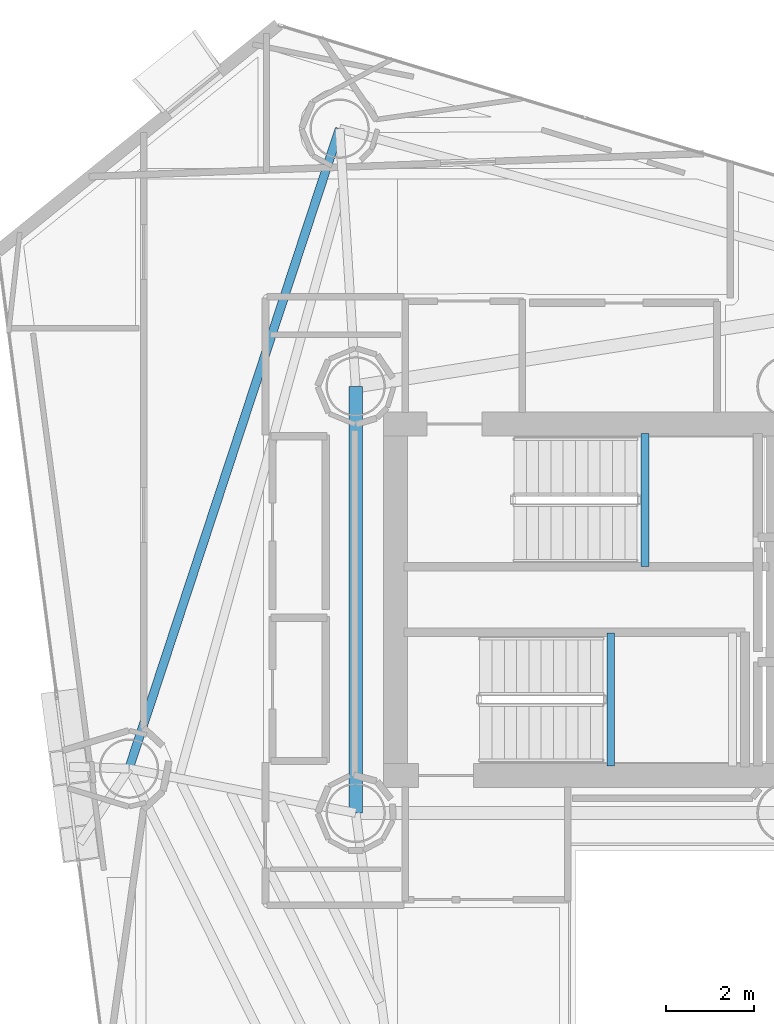
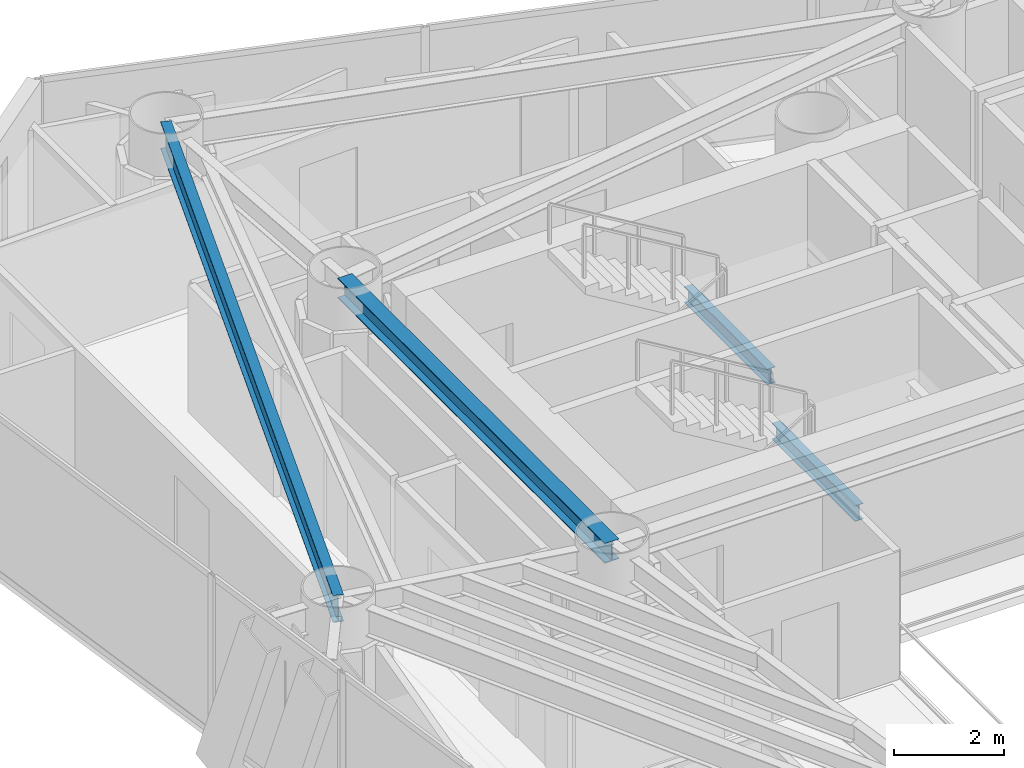
# One storey, part 10 of 22: 4 beams.
"""IFC4 building model written with IfcOpenShell, lengths in metres."""

from ifc_helpers import new_model, si_unit, direction, frame, origin, origin_2d, place, context, subcontext, project, spatial, i_section, extrude, material, material_profile, profile_set, type_object, element, save


model = new_model("IFC4")

# Units and contexts
model_context = context("Model", 3, precision=1e-05, world=origin(), true_north=direction((0.0, 1.0)))
body_context = subcontext(model_context, "Body", "Model", "MODEL_VIEW")
ifc_project = project(units=[si_unit("LENGTHUNIT", "METRE"), si_unit("AREAUNIT", "SQUARE_METRE"), si_unit("VOLUMEUNIT", "CUBIC_METRE"), si_unit("PLANEANGLEUNIT", "RADIAN"), si_unit("MASSUNIT", "GRAM", prefix="KILO")], contexts=[model_context])

# Site, building, storey
site_placement = place(None, origin())
site = spatial("IfcSite", under=ifc_project, at=site_placement, CompositionType="ELEMENT")
building_placement = place(site_placement, origin())
building = spatial("IfcBuilding", under=site, at=building_placement, Name="Qianvela Tower", CompositionType="ELEMENT")
storey_placement = place(building_placement, frame((0.0, 0.0, 177.199951171875)))
storey = spatial("IfcBuildingStorey", under=building, at=storey_placement, Name="L45", CompositionType="ELEMENT", Elevation=177.199951171875)

# Beams
ifc_material_1 = material(Name="Steel Q355B", Category="steel")
ifc_material_profile_1 = material_profile(ifc_material_1, i_section(OverallWidth=0.300048828125, OverallDepth=0.43994140625, WebThickness=0.010986328125, FlangeThickness=0.01806640625, at=origin_2d()), Name="HM440x300x11x18")
ifc_profile_set_1 = profile_set([ifc_material_profile_1], Name="Steel Q355B")
beam_type_1 = type_object("IfcBeamType", Name="BM-HM440-COLL", PredefinedType="BEAM", material=ifc_profile_set_1)
beam_1_placement = place(storey_placement, frame((28.60009765625, 33.550048828125, 3.298095703125), z_axis=(0.0, -1.0, 0.0), x_axis=(1.0, 0.0, 0.0)))
element("IfcBeam", 1, at=beam_1_placement, inside=storey, type_object=beam_type_1, Name="L45 Core Ring Collector Girder CC2", PredefinedType="BEAM", context=body_context, shape_type="SweptSolid", body=[
    extrude(i_section(OverallWidth=0.300048828125, OverallDepth=0.43994140625, WebThickness=0.010986328125, FlangeThickness=0.01806640625, at=origin_2d()), origin(), (0.0, 0.0, 1.0), 9.699951171875),
])
ifc_material_2 = material(Name="Steel Q355B", Category="steel")
ifc_material_profile_2 = material_profile(ifc_material_2, i_section(OverallWidth=0.175048828125, OverallDepth=0.35009765625, WebThickness=0.007080078125, FlangeThickness=0.010986328125, at=origin_2d()), Name="HN350x175x7x11")
ifc_profile_set_2 = profile_set([ifc_material_profile_2], Name="Steel Q355B")
beam_type_2 = type_object("IfcBeamType", Name="BM-HN350-JOIST", PredefinedType="JOIST", material=ifc_profile_set_2)
for number, where, z_axis, x_axis, name in (
    (2, (35.179931640625, 29.4599609375, 1.47509765625), (0.0, 1.0, 0.0), (-1.0, 0.0, 0.0), "L45 Stair ST-1 Landing Support Beam 1.1"),
    (3, (34.39990234375, 24.919921875, 1.47509765625), (0.0, 1.0, 0.0), (-1.0, 0.0, 0.0), "L45 Stair ST-2 Landing Support Beam 1.1"),
):
    element("IfcBeam", number, at=place(storey_placement, frame(where, z_axis=z_axis, x_axis=x_axis)), inside=storey, type_object=beam_type_2, Name=name, PredefinedType="JOIST", context=body_context, shape_type="SweptSolid", body=[
        extrude(i_section(OverallWidth=0.175048828125, OverallDepth=0.35009765625, WebThickness=0.007080078125, FlangeThickness=0.010986328125, at=origin_2d()), origin(), (0.0, 0.0, 1.0), 3.02001953125),
    ])
ifc_material_3 = material(Name="Steel Q355B", Category="steel")
ifc_material_profile_3 = material_profile(ifc_material_3, i_section(OverallWidth=0.199951171875, OverallDepth=0.60009765625, WebThickness=0.010986328125, FlangeThickness=0.01708984375, at=origin_2d()), Name="HN600x200x11x17")
ifc_profile_set_3 = profile_set([ifc_material_profile_3], Name="Steel Q355B")
beam_type_3 = type_object("IfcBeamType", Name="BM-HN600-GIRD", PredefinedType="BEAM", material=ifc_profile_set_3)
beam_2_placement = place(storey_placement, frame((28.235107421875, 39.410888671875, 3.218017578125), z_axis=(-0.312606332657, -0.949882772126, 0.0), x_axis=(0.949882772126, -0.312606332657, 0.0)))
element("IfcBeam", 4, at=beam_2_placement, inside=storey, type_object=beam_type_3, Name="L45 Perimeter Ring Spandrel Girder 3", PredefinedType="BEAM", context=body_context, shape_type="SweptSolid", body=[
    extrude(i_section(OverallWidth=0.199951171875, OverallDepth=0.60009765625, WebThickness=0.010986328125, FlangeThickness=0.01708984375, at=origin_2d()), origin(), (0.0, 0.0, 1.0), 15.31982421875),
])

save(model, "model.ifc")
